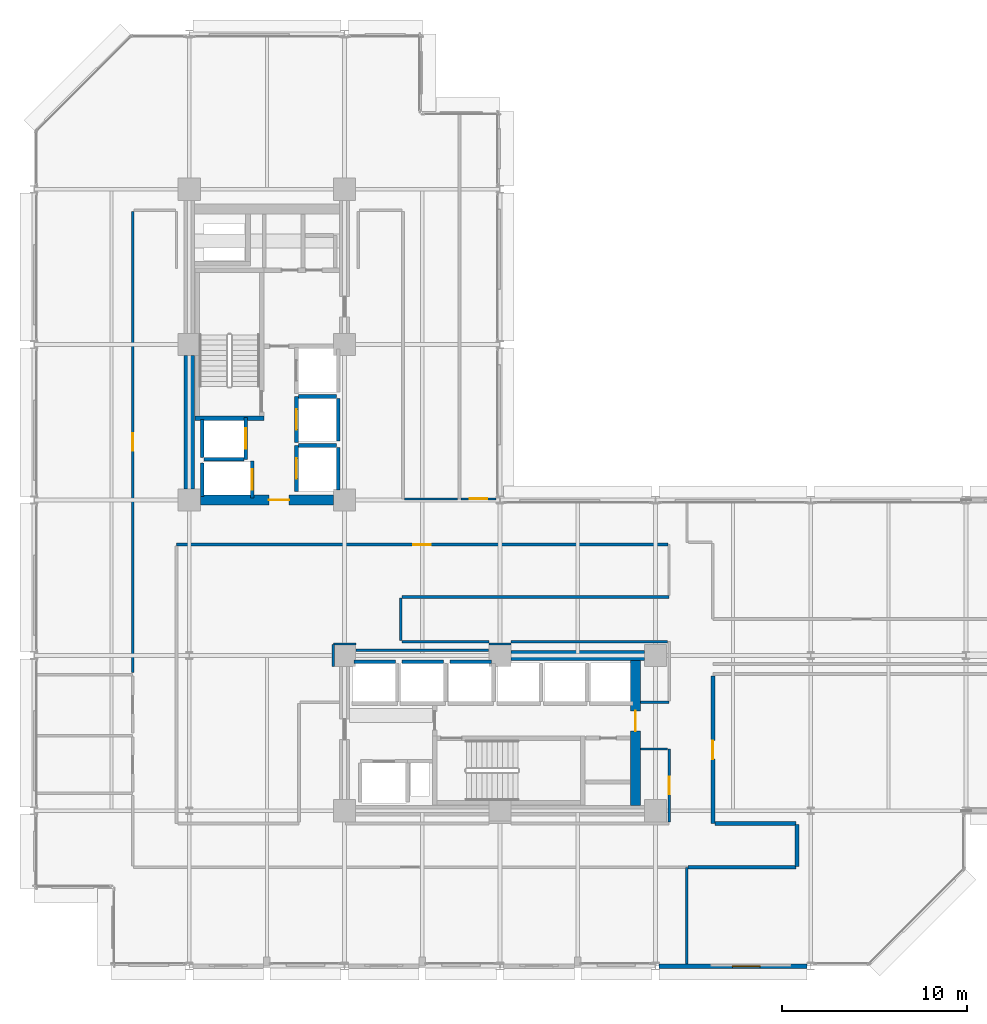
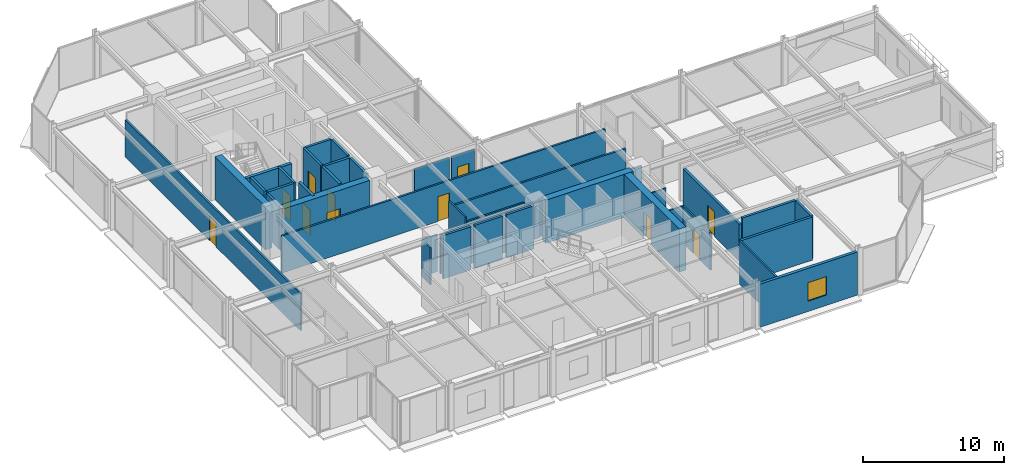
# One storey, part 34 of 40: 40 walls, 11 doors, 1 window, 12 openings.
"""IFC4 building model written with IfcOpenShell, lengths in metres."""

from ifc_helpers import new_model, si_unit, direction, frame, frame_2d, origin, place, context, subcontext, project, spatial, rectangle, extrude, material, layer, layer_set, type_object, element, fill, save


model = new_model("IFC4")

# Units and contexts
model_context = context("Model", 3, precision=1e-05, world=origin(), true_north=direction((0.0, 1.0)))
body_context = subcontext(model_context, "Body", "Model", "MODEL_VIEW")
ifc_project = project(units=[si_unit("LENGTHUNIT", "METRE"), si_unit("AREAUNIT", "SQUARE_METRE"), si_unit("VOLUMEUNIT", "CUBIC_METRE"), si_unit("PLANEANGLEUNIT", "RADIAN"), si_unit("MASSUNIT", "GRAM", prefix="KILO")], contexts=[model_context])

# Site, building, storey
site_placement = place(None, origin())
site = spatial("IfcSite", under=ifc_project, at=site_placement, CompositionType="ELEMENT")
building_placement = place(site_placement, origin())
building = spatial("IfcBuilding", under=site, at=building_placement, Name="Nerrivon Quay Data Exchange", CompositionType="ELEMENT")
storey_placement = place(building_placement, frame((0.0, 0.0, 109.0)))
storey = spatial("IfcBuildingStorey", under=building, at=storey_placement, Name="L25", CompositionType="ELEMENT", Elevation=109.0)

# Wall, opening, window
ifc_material_1 = material(Name="Architectural terracotta precast concrete N50 (50 MPa)", Category="masonry")
ifc_layer_1 = layer(ifc_material_1, 0.239990234375)
ifc_layer_set_1 = layer_set([ifc_layer_1], Name="Architectural terracotta precast concrete N50 (50 MPa)")
wall_type_1 = type_object("IfcWallType", Name="EW-PREC-240", PredefinedType="STANDARD", material=ifc_layer_set_1)
wall_1_placement = place(storey_placement, frame((41.800048828125, 0.0, 0.0), z_axis=(0.0, 0.0, 1.0), x_axis=(-1.0, 0.0, 0.0)))
wall_1 = element("IfcWall", 1, at=wall_1_placement, inside=storey, type_object=wall_type_1, Name="L25 Podium Precast Spandrel Wall 7", PredefinedType="STANDARD", context=body_context, shape_type="SweptSolid", body=[
    extrude(rectangle(XDim=8.0, YDim=0.239990234375, at=frame_2d((4.0, 0.0))), origin(), (0.0, 0.0, 1.0), 3.75),
])
opening_1_placement = place(wall_1_placement, frame((2.53662109375, 0.0, 0.89990234375)))
opening_1 = element("IfcOpeningElement", 2, at=opening_1_placement, cuts=wall_1, Name="Opening WN4", PredefinedType="OPENING", context=body_context, shape_type="SweptSolid", body=[
    extrude(rectangle(XDim=1.5, YDim=1.60009765625, at=frame_2d((0.75, 0.800048828125))), frame((0.0, 0.1298828125, 0.0), z_axis=(0.0, -1.0, 0.0), x_axis=(1.0, 0.0, 0.0)), (0.0, 0.0, 1.0), 0.260009765625),
])
ifc_material_2 = material(Name="Double-glazed low-E solar control glass", Category="glass")
window_type = type_object("IfcWindowType", Name="WIN-W4-1500x1600", PartitioningType="SINGLE_PANEL", PredefinedType="WINDOW", material=ifc_material_2)
window_placement = place(opening_1_placement, origin())
window = element("IfcWindow", 3, at=window_placement, inside=storey, type_object=window_type, Name="L25 Solar Facade Window 7", OverallHeight=1.60009765625, OverallWidth=1.5, PartitioningType="SINGLE_PANEL", PredefinedType="WINDOW", context=body_context, shape_type="SweptSolid", body=[
    extrude(rectangle(XDim=1.5, YDim=1.60009765625, at=frame_2d((0.75, 0.800048828125))), frame((0.0, 0.030029296875, 0.0), z_axis=(0.0, -1.0, 0.0), x_axis=(1.0, 0.0, 0.0)), (0.0, 0.0, 1.0), 0.06005859375),
])
fill(opening_1, window)

# Wall
ifc_material_3 = material(Name="Concrete S65 (65 MPa)", Category="concrete")
ifc_layer_2 = layer(ifc_material_3, 0.550048828125)
ifc_layer_set_2 = layer_set([ifc_layer_2], Name="Concrete S65 (65 MPa)")
wall_type_2 = type_object("IfcWallType", Name="WALL-CW-700", PredefinedType="SHEAR", material=ifc_layer_set_2)
wall_2_placement = place(storey_placement, frame((8.39990234375, 25.800048828125, 0.0), z_axis=(0.0, 0.0, 1.0), x_axis=(0.0, 1.0, 0.0)))
element("IfcWall", 4, at=wall_2_placement, inside=storey, type_object=wall_type_2, Name="L25 West Split-Core Shear Wall WCW-W1", PredefinedType="SHEAR", context=body_context, shape_type="SweptSolid", body=[
    extrude(rectangle(XDim=7.199951171875, YDim=0.550048828125, at=frame_2d((3.60009765625, 0.0))), origin(), (0.0, 0.0, 1.0), 3.75),
])

# Wall, opening, door
wall_3_placement = place(storey_placement, frame((9.0, 25.199951171875, 0.0), z_axis=(0.0, 0.0, 1.0), x_axis=(1.0, 0.0, 0.0)))
wall_3 = element("IfcWall", 5, at=wall_3_placement, inside=storey, type_object=wall_type_2, Name="L25 West Split-Core Shear Wall WCW-S1", PredefinedType="SHEAR", context=body_context, shape_type="SweptSolid", body=[
    extrude(rectangle(XDim=7.199951171875, YDim=0.550048828125, at=frame_2d((3.60009765625, 0.0))), origin(), (0.0, 0.0, 1.0), 3.75),
])
opening_2_placement = place(wall_3_placement, frame((3.699951171875, 0.0, 0.0)))
opening_2 = element("IfcOpeningElement", 6, at=opening_2_placement, cuts=wall_3, Name="Opening FD-120", PredefinedType="OPENING", context=body_context, shape_type="SweptSolid", body=[
    extrude(rectangle(XDim=1.10009765625, YDim=2.14990234375, at=frame_2d((0.550048828125, 1.074951171875))), frame((0.0, 0.284912109375, 0.0), z_axis=(0.0, -1.0, 0.0), x_axis=(1.0, 0.0, 0.0)), (0.0, 0.0, 1.0), 0.570068359375),
])
ifc_material_4 = material(Name="Powder-coated galvanized steel sheet", Category="steel")
door_type_1 = type_object("IfcDoorType", Name="DR-FD120-1100", OperationType="NOTDEFINED", PredefinedType="DOOR", material=ifc_material_4)
door_1_placement = place(opening_2_placement, origin())
door_1 = element("IfcDoor", 7, at=door_1_placement, inside=storey, type_object=door_type_1, Name="L25 West Core Lobby Fire Door", OperationType="SINGLE_SWING_RIGHT", OverallHeight=2.14990234375, OverallWidth=1.10009765625, PredefinedType="DOOR", context=body_context, shape_type="SweptSolid", body=[
    extrude(rectangle(XDim=1.10009765625, YDim=2.14990234375, at=frame_2d((0.550048828125, 1.074951171875))), frame((0.0, 0.02490234375, 0.0), z_axis=(0.0, -1.0, 0.0), x_axis=(1.0, 0.0, 0.0)), (0.0, 0.0, 1.0), 0.050048828125),
])
fill(opening_2, door_1)

wall_4_placement = place(storey_placement, frame((32.52490234375, 8.675048828125, 0.0), z_axis=(0.0, 0.0, 1.0), x_axis=(0.0, 1.0, 0.0)))
wall_4 = element("IfcWall", 8, at=wall_4_placement, inside=storey, type_object=wall_type_2, Name="L25 East Split-Core Shear Wall ECW-E1", PredefinedType="SHEAR", context=body_context, shape_type="SweptSolid", body=[
    extrude(rectangle(XDim=7.849853515625, YDim=0.550048828125, at=frame_2d((3.9248046875, 0.0))), origin(), (0.0, 0.0, 1.0), 3.75),
])
opening_3_placement = place(wall_4_placement, frame((4.02490234375, 0.0, 0.0)))
opening_3 = element("IfcOpeningElement", 9, at=opening_3_placement, cuts=wall_4, Name="Opening FD-120", PredefinedType="OPENING", context=body_context, shape_type="SweptSolid", body=[
    extrude(rectangle(XDim=1.10009765625, YDim=2.14990234375, at=frame_2d((0.550048828125, 1.074951171875))), frame((0.0, 0.284912109375, 0.0), z_axis=(0.0, -1.0, 0.0), x_axis=(1.0, 0.0, 0.0)), (0.0, 0.0, 1.0), 0.570068359375),
])
door_2_placement = place(opening_3_placement, origin())
door_2 = element("IfcDoor", 10, at=door_2_placement, inside=storey, type_object=door_type_1, Name="L25 East Core Lobby Fire Door", OperationType="SINGLE_SWING_LEFT", OverallHeight=2.14990234375, OverallWidth=1.10009765625, PredefinedType="DOOR", context=body_context, shape_type="SweptSolid", body=[
    extrude(rectangle(XDim=1.10009765625, YDim=2.14990234375, at=frame_2d((0.550048828125, 1.074951171875))), frame((0.0, 0.02490234375, 0.0), z_axis=(0.0, -1.0, 0.0), x_axis=(1.0, 0.0, 0.0)), (0.0, 0.0, 1.0), 0.050048828125),
])
fill(opening_3, door_2)

# Wall
wall_5_placement = place(storey_placement, frame((25.800048828125, 16.800048828125, 0.0), z_axis=(0.0, 0.0, 1.0), x_axis=(1.0, 0.0, 0.0)))
element("IfcWall", 11, at=wall_5_placement, inside=storey, type_object=wall_type_2, Name="L25 East Split-Core Shear Wall ECW-N1", PredefinedType="SHEAR", context=body_context, shape_type="SweptSolid", body=[
    extrude(rectangle(XDim=7.199951171875, YDim=0.550048828125, at=frame_2d((3.60009765625, 0.0))), origin(), (0.0, 0.0, 1.0), 3.75),
])

# Wall, opening, door
ifc_material_5 = material(Name="Gypsum plasterboard on cold-formed framing", Category="gypsum")
ifc_layer_3 = layer(ifc_material_5, 0.199951171875)
ifc_layer_set_3 = layer_set([ifc_layer_3], Name="Gypsum plasterboard on cold-formed framing")
wall_type_3 = type_object("IfcWallType", Name="WALL-FW-200", PredefinedType="PARTITIONING", material=ifc_layer_set_3)
wall_6_placement = place(storey_placement, frame((11.449951171875, 27.39990234375, 0.0), z_axis=(0.0, 0.0, 1.0), x_axis=(0.0, 1.0, 0.0)))
wall_6 = element("IfcWall", 12, at=wall_6_placement, inside=storey, type_object=wall_type_3, Name="L25 Lift Front Wall FFL-1", PredefinedType="PARTITIONING", context=body_context, shape_type="SweptSolid", body=[
    extrude(rectangle(XDim=2.25, YDim=0.199951171875, at=frame_2d((1.125, 0.0))), origin(), (0.0, 0.0, 1.0), 3.75),
])
opening_4_placement = place(wall_6_placement, frame((0.574951171875, 0.0, 0.0)))
opening_4 = element("IfcOpeningElement", 13, at=opening_4_placement, cuts=wall_6, Name="Opening LD-120", PredefinedType="OPENING", context=body_context, shape_type="SweptSolid", body=[
    extrude(rectangle(XDim=1.10009765625, YDim=2.199951171875, at=frame_2d((0.550048828125, 1.10009765625))), frame((0.0, 0.10986328125, 0.0), z_axis=(0.0, -1.0, 0.0), x_axis=(1.0, 0.0, 0.0)), (0.0, 0.0, 1.0), 0.219970703125),
])
door_type_2 = type_object("IfcDoorType", Name="DR-LIFT-LD120", OperationType="DOUBLE_DOOR_SLIDING", PredefinedType="DOOR", material=ifc_material_4)
door_3_placement = place(opening_4_placement, origin())
door_3 = element("IfcDoor", 14, at=door_3_placement, inside=storey, type_object=door_type_2, Name="L25 Lift Landing Sliding Door FFL-1", OperationType="DOUBLE_DOOR_SLIDING", OverallHeight=2.199951171875, OverallWidth=1.10009765625, PredefinedType="DOOR", context=body_context, shape_type="SweptSolid", body=[
    extrude(rectangle(XDim=1.10009765625, YDim=2.199951171875, at=frame_2d((0.550048828125, 1.10009765625))), frame((0.0, 0.02490234375, 0.0), z_axis=(0.0, -1.0, 0.0), x_axis=(1.0, 0.0, 0.0)), (0.0, 0.0, 1.0), 0.050048828125),
])
fill(opening_4, door_3)

# Walls
wall_7_placement = place(storey_placement, frame((9.10009765625, 27.5, 0.0), z_axis=(0.0, 0.0, 1.0), x_axis=(0.0, 1.0, 0.0)))
element("IfcWall", 15, at=wall_7_placement, inside=storey, type_object=wall_type_3, Name="L25 Lift Shaft Wall FFL-1 WEST", PredefinedType="PARTITIONING", context=body_context, shape_type="SweptSolid", body=[
    extrude(rectangle(XDim=2.050048828125, YDim=0.199951171875, at=frame_2d((1.02490234375, 0.0))), origin(), (0.0, 0.0, 1.0), 3.75),
])
wall_8_placement = place(storey_placement, frame((9.199951171875, 27.39990234375, 0.0), z_axis=(0.0, 0.0, 1.0), x_axis=(1.0, 0.0, 0.0)))
element("IfcWall", 16, at=wall_8_placement, inside=storey, type_object=wall_type_3, Name="L25 Lift Shaft Wall FFL-1 SOUTH", PredefinedType="PARTITIONING", context=body_context, shape_type="SweptSolid", body=[
    extrude(rectangle(XDim=2.150146484375, YDim=0.199951171875, at=frame_2d((1.0751953125, 0.0))), origin(), (0.0, 0.0, 1.0), 3.75),
])

# Wall, opening, door
wall_9_placement = place(storey_placement, frame((11.800048828125, 25.300048828125, 0.0), z_axis=(0.0, 0.0, 1.0), x_axis=(0.0, 1.0, 0.0)))
wall_9 = element("IfcWall", 17, at=wall_9_placement, inside=storey, type_object=wall_type_3, Name="L25 Lift Front Wall SVL-1", PredefinedType="PARTITIONING", context=body_context, shape_type="SweptSolid", body=[
    extrude(rectangle(XDim=2.0, YDim=0.199951171875, at=frame_2d((1.0, 0.0))), origin(), (0.0, 0.0, 1.0), 3.75),
])
opening_5_placement = place(wall_9_placement, frame((0.449951171875, 0.0, 0.0)))
opening_5 = element("IfcOpeningElement", 18, at=opening_5_placement, cuts=wall_9, Name="Opening LD-120", PredefinedType="OPENING", context=body_context, shape_type="SweptSolid", body=[
    extrude(rectangle(XDim=1.10009765625, YDim=2.199951171875, at=frame_2d((0.550048828125, 1.10009765625))), frame((0.0, 0.10986328125, 0.0), z_axis=(0.0, -1.0, 0.0), x_axis=(1.0, 0.0, 0.0)), (0.0, 0.0, 1.0), 0.219970703125),
])
door_4_placement = place(opening_5_placement, origin())
door_4 = element("IfcDoor", 19, at=door_4_placement, inside=storey, type_object=door_type_2, Name="L25 Lift Landing Sliding Door SVL-1", OperationType="DOUBLE_DOOR_SLIDING", OverallHeight=2.199951171875, OverallWidth=1.10009765625, PredefinedType="DOOR", context=body_context, shape_type="SweptSolid", body=[
    extrude(rectangle(XDim=1.10009765625, YDim=2.199951171875, at=frame_2d((0.550048828125, 1.10009765625))), frame((0.0, 0.02490234375, 0.0), z_axis=(0.0, -1.0, 0.0), x_axis=(1.0, 0.0, 0.0)), (0.0, 0.0, 1.0), 0.050048828125),
])
fill(opening_5, door_4)

# Wall
wall_10_placement = place(storey_placement, frame((9.10009765625, 25.39990234375, 0.0), z_axis=(0.0, 0.0, 1.0), x_axis=(0.0, 1.0, 0.0)))
element("IfcWall", 20, at=wall_10_placement, inside=storey, type_object=wall_type_3, Name="L25 Lift Shaft Wall SVL-1 WEST", PredefinedType="PARTITIONING", context=body_context, shape_type="SweptSolid", body=[
    extrude(rectangle(XDim=1.800048828125, YDim=0.199951171875, at=frame_2d((0.89990234375, 0.0))), origin(), (0.0, 0.0, 1.0), 3.75),
])

# Wall, opening, door
wall_11_placement = place(storey_placement, frame((14.199951171875, 25.64990234375, 0.0), z_axis=(0.0, 0.0, 1.0), x_axis=(0.0, 1.0, 0.0)))
wall_11 = element("IfcWall", 21, at=wall_11_placement, inside=storey, type_object=wall_type_3, Name="L25 Lift Front Wall PL1", PredefinedType="PARTITIONING", context=body_context, shape_type="SweptSolid", body=[
    extrude(rectangle(XDim=2.5, YDim=0.199951171875, at=frame_2d((1.25, 0.0))), origin(), (0.0, 0.0, 1.0), 3.75),
])
opening_6_placement = place(wall_11_placement, frame((0.699951171875, 0.0, 0.0)))
opening_6 = element("IfcOpeningElement", 22, at=opening_6_placement, cuts=wall_11, Name="Opening LD-120", PredefinedType="OPENING", context=body_context, shape_type="SweptSolid", body=[
    extrude(rectangle(XDim=1.10009765625, YDim=2.199951171875, at=frame_2d((0.550048828125, 1.10009765625))), frame((0.0, 0.10986328125, 0.0), z_axis=(0.0, -1.0, 0.0), x_axis=(1.0, 0.0, 0.0)), (0.0, 0.0, 1.0), 0.219970703125),
])
door_5_placement = place(opening_6_placement, origin())
door_5 = element("IfcDoor", 23, at=door_5_placement, inside=storey, type_object=door_type_2, Name="L25 Lift Landing Sliding Door PL1", OperationType="DOUBLE_DOOR_SLIDING", OverallHeight=2.199951171875, OverallWidth=1.10009765625, PredefinedType="DOOR", context=body_context, shape_type="SweptSolid", body=[
    extrude(rectangle(XDim=1.10009765625, YDim=2.199951171875, at=frame_2d((0.550048828125, 1.10009765625))), frame((0.0, 0.02490234375, 0.0), z_axis=(0.0, -1.0, 0.0), x_axis=(1.0, 0.0, 0.0)), (0.0, 0.0, 1.0), 0.050048828125),
])
fill(opening_6, door_5)

# Walls
wall_12_placement = place(storey_placement, frame((16.449951171875, 25.75, 0.0), z_axis=(0.0, 0.0, 1.0), x_axis=(0.0, 1.0, 0.0)))
element("IfcWall", 24, at=wall_12_placement, inside=storey, type_object=wall_type_3, Name="L25 Lift Shaft Wall PL1 EAST", PredefinedType="PARTITIONING", context=body_context, shape_type="SweptSolid", body=[
    extrude(rectangle(XDim=2.300048828125, YDim=0.199951171875, at=frame_2d((1.14990234375, 0.0))), origin(), (0.0, 0.0, 1.0), 3.75),
])
wall_13_placement = place(storey_placement, frame((14.300048828125, 28.14990234375, 0.0), z_axis=(0.0, 0.0, 1.0), x_axis=(1.0, 0.0, 0.0)))
element("IfcWall", 25, at=wall_13_placement, inside=storey, type_object=wall_type_3, Name="L25 Lift Shaft Wall PL1 NORTH", PredefinedType="PARTITIONING", context=body_context, shape_type="SweptSolid", body=[
    extrude(rectangle(XDim=2.050048828125, YDim=0.199951171875, at=frame_2d((1.02490234375, 0.0))), origin(), (0.0, 0.0, 1.0), 3.75),
])

# Wall, opening, door
wall_14_placement = place(storey_placement, frame((14.199951171875, 28.300048828125, 0.0), z_axis=(0.0, 0.0, 1.0), x_axis=(0.0, 1.0, 0.0)))
wall_14 = element("IfcWall", 26, at=wall_14_placement, inside=storey, type_object=wall_type_3, Name="L25 Lift Front Wall PL2", PredefinedType="PARTITIONING", context=body_context, shape_type="SweptSolid", body=[
    extrude(rectangle(XDim=2.5, YDim=0.199951171875, at=frame_2d((1.25, 0.0))), origin(), (0.0, 0.0, 1.0), 3.75),
])
opening_7_placement = place(wall_14_placement, frame((0.699951171875, 0.0, 0.0)))
opening_7 = element("IfcOpeningElement", 27, at=opening_7_placement, cuts=wall_14, Name="Opening LD-120", PredefinedType="OPENING", context=body_context, shape_type="SweptSolid", body=[
    extrude(rectangle(XDim=1.10009765625, YDim=2.199951171875, at=frame_2d((0.550048828125, 1.10009765625))), frame((0.0, 0.10986328125, 0.0), z_axis=(0.0, -1.0, 0.0), x_axis=(1.0, 0.0, 0.0)), (0.0, 0.0, 1.0), 0.219970703125),
])
door_6_placement = place(opening_7_placement, origin())
door_6 = element("IfcDoor", 28, at=door_6_placement, inside=storey, type_object=door_type_2, Name="L25 Lift Landing Sliding Door PL2", OperationType="DOUBLE_DOOR_SLIDING", OverallHeight=2.199951171875, OverallWidth=1.10009765625, PredefinedType="DOOR", context=body_context, shape_type="SweptSolid", body=[
    extrude(rectangle(XDim=1.10009765625, YDim=2.199951171875, at=frame_2d((0.550048828125, 1.10009765625))), frame((0.0, 0.02490234375, 0.0), z_axis=(0.0, -1.0, 0.0), x_axis=(1.0, 0.0, 0.0)), (0.0, 0.0, 1.0), 0.050048828125),
])
fill(opening_7, door_6)

# Walls
wall_15_placement = place(storey_placement, frame((16.449951171875, 28.39990234375, 0.0), z_axis=(0.0, 0.0, 1.0), x_axis=(0.0, 1.0, 0.0)))
element("IfcWall", 29, at=wall_15_placement, inside=storey, type_object=wall_type_3, Name="L25 Lift Shaft Wall PL2 EAST", PredefinedType="PARTITIONING", context=body_context, shape_type="SweptSolid", body=[
    extrude(rectangle(XDim=2.300048828125, YDim=0.199951171875, at=frame_2d((1.14990234375, 0.0))), origin(), (0.0, 0.0, 1.0), 3.75),
])
wall_16_placement = place(storey_placement, frame((14.300048828125, 30.800048828125, 0.0), z_axis=(0.0, 0.0, 1.0), x_axis=(1.0, 0.0, 0.0)))
element("IfcWall", 30, at=wall_16_placement, inside=storey, type_object=wall_type_3, Name="L25 Lift Shaft Wall PL2 NORTH", PredefinedType="PARTITIONING", context=body_context, shape_type="SweptSolid", body=[
    extrude(rectangle(XDim=2.050048828125, YDim=0.199951171875, at=frame_2d((1.02490234375, 0.0))), origin(), (0.0, 0.0, 1.0), 3.75),
])
for number, where, z_axis, x_axis, name in (
    (31, (17.300048828125, 16.449951171875, 0.0), (0.0, 0.0, 1.0), (1.0, 0.0, 0.0), "L25 Lift Shaft Wall PL4 NORTH"),
    (32, (19.89990234375, 16.449951171875, 0.0), (0.0, 0.0, 1.0), (1.0, 0.0, 0.0), "L25 Lift Shaft Wall PL5 NORTH"),
    (33, (22.5, 16.449951171875, 0.0), (0.0, 0.0, 1.0), (1.0, 0.0, 0.0), "L25 Lift Shaft Wall PL6 NORTH"),
):
    element("IfcWall", number, at=place(storey_placement, frame(where, z_axis=z_axis, x_axis=x_axis)), inside=storey, type_object=wall_type_3, Name=name, PredefinedType="PARTITIONING", context=body_context, shape_type="SweptSolid", body=[
        extrude(rectangle(XDim=2.25, YDim=0.199951171875, at=frame_2d((1.125, 0.0))), origin(), (0.0, 0.0, 1.0), 3.75),
    ])

# Wall, opening, door
wall_17_placement = place(storey_placement, frame((36.7099609375, 15.675048828125, 0.0), z_axis=(0.0, 0.0, 1.0), x_axis=(0.0, -1.0, 0.0)))
wall_17 = element("IfcWall", 34, at=wall_17_placement, inside=storey, type_object=wall_type_3, Name="L25 Partition Colocation Data Workspace 1", PredefinedType="PARTITIONING", context=body_context, shape_type="SweptSolid", body=[
    extrude(rectangle(XDim=7.965087890625, YDim=0.199951171875, at=frame_2d((3.982421875, 0.0))), origin(), (0.0, 0.0, 1.0), 3.217041015625),
])
opening_8_placement = place(wall_17_placement, frame((3.482666015625, 0.0, 0.0)))
opening_8 = element("IfcOpeningElement", 35, at=opening_8_placement, cuts=wall_17, Name="Opening FD-60", PredefinedType="OPENING", context=body_context, shape_type="SweptSolid", body=[
    extrude(rectangle(XDim=1.0, YDim=2.14990234375, at=frame_2d((0.5, 1.074951171875))), frame((0.0, 0.10986328125, 0.0), z_axis=(0.0, -1.0, 0.0), x_axis=(1.0, 0.0, 0.0)), (0.0, 0.0, 1.0), 0.219970703125),
])
ifc_material_6 = material(Name="Engineered hardwood timber", Category="wood")
door_type_3 = type_object("IfcDoorType", Name="DR-FD60-1000", OperationType="NOTDEFINED", PredefinedType="DOOR", material=ifc_material_6)
door_7_placement = place(opening_8_placement, origin())
door_7 = element("IfcDoor", 36, at=door_7_placement, inside=storey, type_object=door_type_3, Name="L25 Door Colocation Data Workspace 1", OperationType="SINGLE_SWING_LEFT", OverallHeight=2.14990234375, OverallWidth=1.0, PredefinedType="DOOR", context=body_context, shape_type="SweptSolid", body=[
    extrude(rectangle(XDim=1.0, YDim=2.14990234375, at=frame_2d((0.5, 1.074951171875))), frame((0.0, 0.02490234375, 0.0), z_axis=(0.0, -1.0, 0.0), x_axis=(1.0, 0.0, 0.0)), (0.0, 0.0, 1.0), 0.050048828125),
])
fill(opening_8, door_7)

# Walls
wall_18_placement = place(storey_placement, frame((36.81396484375, 7.7099609375, 0.0), z_axis=(0.0, 0.0, 1.0), x_axis=(1.0, 0.0, 0.0)))
element("IfcWall", 37, at=wall_18_placement, inside=storey, type_object=wall_type_3, Name="L25 Partition Colocation Data Workspace 1", PredefinedType="PARTITIONING", context=body_context, shape_type="SweptSolid", body=[
    extrude(rectangle(XDim=4.385986328125, YDim=0.199951171875, at=frame_2d((2.19287109375, 0.0))), origin(), (0.0, 0.0, 1.0), 3.75),
])
wall_19_placement = place(storey_placement, frame((41.260009765625, 7.64990234375, 0.0), z_axis=(0.0, 0.0, 1.0), x_axis=(-0.000108225108, -0.999999994144, 0.0)))
element("IfcWall", 38, at=wall_19_placement, inside=storey, type_object=wall_type_3, Name="L25 Partition Colocation Data Workspace 1", PredefinedType="PARTITIONING", context=body_context, shape_type="SweptSolid", body=[
    extrude(rectangle(XDim=2.255859375, YDim=0.199951171875, at=frame_2d((1.1279296875, 0.0))), origin(), (0.0, 0.0, 1.0), 3.75),
])
wall_20_placement = place(storey_placement, frame((41.199951171875, 5.340087890625, 0.0), z_axis=(0.0, 0.0, 1.0), x_axis=(-1.0, 0.0, 0.0)))
element("IfcWall", 39, at=wall_20_placement, inside=storey, type_object=wall_type_3, Name="L25 Partition Colocation Data Workspace 1", PredefinedType="PARTITIONING", context=body_context, shape_type="SweptSolid", body=[
    extrude(rectangle(XDim=5.83154296875, YDim=0.199951171875, at=frame_2d((2.915771484375, 0.0))), origin(), (0.0, 0.0, 1.0), 3.75),
])
ifc_layer_4 = layer(ifc_material_5, 0.1201171875)
ifc_layer_set_4 = layer_set([ifc_layer_4], Name="Gypsum plasterboard on cold-formed framing")
wall_type_4 = type_object("IfcWallType", Name="WALL-PT-120", PredefinedType="PARTITIONING", material=ifc_layer_set_4)
wall_21_placement = place(storey_placement, frame((34.2685546875, 11.739990234375, 0.0), z_axis=(0.0, 0.0, 1.0), x_axis=(-1.0, 0.0, 0.0)))
element("IfcWall", 40, at=wall_21_placement, inside=storey, type_object=wall_type_4, Name="L25 Partition Staff Pantry", PredefinedType="PARTITIONING", context=body_context, shape_type="SweptSolid", body=[
    extrude(rectangle(XDim=1.464599609375, YDim=0.1201171875, at=frame_2d((0.732421875, 0.0))), origin(), (0.0, 0.0, 1.0), 3.221923828125),
])

# Wall, opening, door
wall_22_placement = place(storey_placement, frame((23.087890625, 25.260009765625, 0.0), z_axis=(0.0, 0.0, 1.0), x_axis=(1.0, 0.0, 0.0)))
wall_22 = element("IfcWall", 41, at=wall_22_placement, inside=storey, type_object=wall_type_4, Name="L25 Partition Shared Breakout Kitchenette", PredefinedType="PARTITIONING", context=body_context, shape_type="SweptSolid", body=[
    extrude(rectangle(XDim=1.89208984375, YDim=0.1201171875, at=frame_2d((0.946044921875, 0.0))), origin(), (0.0, 0.0, 1.0), 3.217041015625),
])
opening_9_placement = place(wall_22_placement, frame((0.470947265625, 0.0, 0.0)))
opening_9 = element("IfcOpeningElement", 42, at=opening_9_placement, cuts=wall_22, Name="Opening D-01", PredefinedType="OPENING", context=body_context, shape_type="SweptSolid", body=[
    extrude(rectangle(XDim=0.949951171875, YDim=2.14990234375, at=frame_2d((0.47509765625, 1.074951171875))), frame((0.0, 0.070068359375, 0.0), z_axis=(0.0, -1.0, 0.0), x_axis=(1.0, 0.0, 0.0)), (0.0, 0.0, 1.0), 0.14013671875),
])
door_type_4 = type_object("IfcDoorType", Name="DR-INT-950", OperationType="NOTDEFINED", PredefinedType="DOOR", material=ifc_material_6)
door_8_placement = place(opening_9_placement, origin())
door_8 = element("IfcDoor", 43, at=door_8_placement, inside=storey, type_object=door_type_4, Name="L25 Door Shared Breakout Kitchenette", OperationType="SINGLE_SWING_LEFT", OverallHeight=2.14990234375, OverallWidth=0.949951171875, PredefinedType="DOOR", context=body_context, shape_type="SweptSolid", body=[
    extrude(rectangle(XDim=0.949951171875, YDim=2.14990234375, at=frame_2d((0.47509765625, 1.074951171875))), frame((0.0, 0.02490234375, 0.0), z_axis=(0.0, -1.0, 0.0), x_axis=(1.0, 0.0, 0.0)), (0.0, 0.0, 1.0), 0.050048828125),
])
fill(opening_9, door_8)

# Walls
wall_23_placement = place(storey_placement, frame((16.180908203125, 16.194091796875, 0.0), z_axis=(0.0, 0.0, 1.0), x_axis=(-0.000809880277, 0.999999672047, 0.0)))
element("IfcWall", 44, at=wall_23_placement, inside=storey, type_object=wall_type_4, Name="L25 Partition Cloud Compute Workspace 1", PredefinedType="PARTITIONING", context=body_context, shape_type="SweptSolid", body=[
    extrude(rectangle(XDim=1.205810546875, YDim=0.1201171875, at=frame_2d((0.60302734375, 0.0))), origin(), (0.0, 0.0, 1.0), 3.217041015625),
])
for number, where, z_axis, x_axis, name in (
    (45, (16.199951171875, 17.419921875, 0.0), (0.0, 0.0, 1.0), (0.999999815526, -0.000607410295, 0.0), "L25 Partition Cloud Compute Workspace 1"),
    (46, (24.59423828125, 17.419189453125, 0.0), (0.0, 0.0, 1.0), (0.999999815526, 0.000607410295, 0.0), "L25 Partition Cloud Compute Workspace 1"),
):
    element("IfcWall", number, at=place(storey_placement, frame(where, z_axis=z_axis, x_axis=x_axis)), inside=storey, type_object=wall_type_4, Name=name, PredefinedType="PARTITIONING", context=body_context, shape_type="SweptSolid", body=[
        extrude(rectangle(XDim=1.205810546875, YDim=0.1201171875, at=frame_2d((0.60302734375, 0.0))), origin(), (0.0, 0.0, 1.0), 3.221923828125),
    ])
wall_24_placement = place(storey_placement, frame((32.803955078125, 14.260009765625, 0.0), z_axis=(0.0, 0.0, 1.0), x_axis=(1.0, 0.0, 0.0)))
element("IfcWall", 47, at=wall_24_placement, inside=storey, type_object=wall_type_4, Name="L25 Partition Cloud Compute Workspace 1", PredefinedType="PARTITIONING", context=body_context, shape_type="SweptSolid", body=[
    extrude(rectangle(XDim=1.5361328125, YDim=0.1201171875, at=frame_2d((0.76806640625, 0.0))), origin(), (0.0, 0.0, 1.0), 3.221923828125),
])
wall_25_placement = place(storey_placement, frame((19.840087890625, 17.60009765625, 0.0), z_axis=(0.0, 0.0, 1.0), x_axis=(0.0, 1.0, 0.0)))
element("IfcWall", 48, at=wall_25_placement, inside=storey, type_object=wall_type_4, Name="L25 Partition Cloud Compute Workspace 1", PredefinedType="PARTITIONING", context=body_context, shape_type="SweptSolid", body=[
    extrude(rectangle(XDim=2.2998046875, YDim=0.1201171875, at=frame_2d((1.14990234375, 0.0))), origin(), (0.0, 0.0, 1.0), 3.75),
])
wall_26_placement = place(storey_placement, frame((20.0390625, 25.260009765625, 0.0), z_axis=(0.0, 0.0, 1.0), x_axis=(1.0, 0.0, 0.0)))
element("IfcWall", 49, at=wall_26_placement, inside=storey, type_object=wall_type_4, Name="L25 Partition Optical Engineering Studios Workspace", PredefinedType="PARTITIONING", context=body_context, shape_type="SweptSolid", body=[
    extrude(rectangle(XDim=2.849853515625, YDim=0.1201171875, at=frame_2d((1.4248046875, 0.0))), origin(), (0.0, 0.0, 1.0), 3.217041015625),
])

# Wall, opening, door
ifc_layer_5 = layer(ifc_material_5, 0.135009765625)
ifc_layer_set_5 = layer_set([ifc_layer_5], Name="Gypsum plasterboard on cold-formed framing")
wall_type_5 = type_object("IfcWallType", Name="WALL-PT-135", PredefinedType="PARTITIONING", material=ifc_layer_set_5)
wall_27_placement = place(storey_placement, frame((34.340087890625, 7.7890625, 0.0), z_axis=(0.0, 0.0, 1.0), x_axis=(0.0, 1.0, 0.0)))
wall_27 = element("IfcWall", 50, at=wall_27_placement, inside=storey, type_object=wall_type_5, Name="L25 Partition Staff Pantry", PredefinedType="PARTITIONING", context=body_context, shape_type="SweptSolid", body=[
    extrude(rectangle(XDim=3.950927734375, YDim=0.135009765625, at=frame_2d((1.9755859375, 0.0))), origin(), (0.0, 0.0, 1.0), 3.217041015625),
])
opening_10_placement = place(wall_27_placement, frame((1.50048828125, 0.0, 0.0)))
opening_10 = element("IfcOpeningElement", 51, at=opening_10_placement, cuts=wall_27, Name="Opening D-01", PredefinedType="OPENING", context=body_context, shape_type="SweptSolid", body=[
    extrude(rectangle(XDim=0.949951171875, YDim=2.14990234375, at=frame_2d((0.47509765625, 1.074951171875))), frame((0.0, 0.077392578125, 0.0), z_axis=(0.0, -1.0, 0.0), x_axis=(1.0, 0.0, 0.0)), (0.0, 0.0, 1.0), 0.155029296875),
])
door_9_placement = place(opening_10_placement, origin())
door_9 = element("IfcDoor", 52, at=door_9_placement, inside=storey, type_object=door_type_4, Name="L25 Door Staff Pantry", OperationType="SINGLE_SWING_RIGHT", OverallHeight=2.14990234375, OverallWidth=0.949951171875, PredefinedType="DOOR", context=body_context, shape_type="SweptSolid", body=[
    extrude(rectangle(XDim=0.949951171875, YDim=2.14990234375, at=frame_2d((0.47509765625, 1.074951171875))), frame((0.0, 0.02490234375, 0.0), z_axis=(0.0, -1.0, 0.0), x_axis=(1.0, 0.0, 0.0)), (0.0, 0.0, 1.0), 0.050048828125),
])
fill(opening_10, door_9)

# Walls
wall_28_placement = place(storey_placement, frame((35.297119140625, 0.1240234375, 0.0), z_axis=(0.0, 0.0, 1.0), x_axis=(0.0, 1.0, 0.0)))
element("IfcWall", 53, at=wall_28_placement, inside=storey, type_object=wall_type_5, Name="L25 Partition Technical Library", PredefinedType="PARTITIONING", context=body_context, shape_type="SweptSolid", body=[
    extrude(rectangle(XDim=5.216064453125, YDim=0.135009765625, at=frame_2d((2.60791015625, 0.0))), origin(), (0.0, 0.0, 1.0), 3.75),
])
wall_29_placement = place(storey_placement, frame((24.593994140625, 17.5400390625, 0.0), z_axis=(0.0, 0.0, 1.0), x_axis=(-1.0, 0.0, 0.0)))
element("IfcWall", 54, at=wall_29_placement, inside=storey, type_object=wall_type_5, Name="L25 Partition Cloud Compute Workspace 1", PredefinedType="PARTITIONING", context=body_context, shape_type="SweptSolid", body=[
    extrude(rectangle(XDim=4.694091796875, YDim=0.135009765625, at=frame_2d((2.34716796875, 0.0))), origin(), (0.0, 0.0, 1.0), 3.39404296875),
])
ifc_layer_6 = layer(ifc_material_5, 0.14990234375)
ifc_layer_set_6 = layer_set([ifc_layer_6], Name="Gypsum plasterboard on cold-formed framing")
wall_type_6 = type_object("IfcWallType", Name="WALL-PT-150", PredefinedType="PARTITIONING", material=ifc_layer_set_6)
wall_30_placement = place(storey_placement, frame((17.419921875, 17.074951171875, 0.0), z_axis=(0.0, 0.0, 1.0), x_axis=(1.0, 0.0, 0.0)))
element("IfcWall", 55, at=wall_30_placement, inside=storey, type_object=wall_type_6, Name="L25 Partition Cloud Compute Workspace 1", PredefinedType="PARTITIONING", context=body_context, shape_type="SweptSolid", body=[
    extrude(rectangle(XDim=7.16015625, YDim=0.14990234375, at=frame_2d((3.580078125, 0.0))), origin(), (0.0, 0.0, 1.0), 3.39404296875),
])
wall_31_placement = place(storey_placement, frame((34.2685546875, 17.5400390625, 0.0), z_axis=(0.0, 0.0, 1.0), x_axis=(-1.0, 0.0, 0.0)))
element("IfcWall", 56, at=wall_31_placement, inside=storey, type_object=wall_type_6, Name="L25 Partition Cloud Compute Workspace 1", PredefinedType="PARTITIONING", context=body_context, shape_type="SweptSolid", body=[
    extrude(rectangle(XDim=8.46875, YDim=0.14990234375, at=frame_2d((4.234375, 0.0))), origin(), (0.0, 0.0, 1.0), 3.221923828125),
])
wall_32_placement = place(storey_placement, frame((19.89990234375, 19.9599609375, 0.0), z_axis=(0.0, 0.0, 1.0), x_axis=(1.0, 0.0, 0.0)))
element("IfcWall", 57, at=wall_32_placement, inside=storey, type_object=wall_type_6, Name="L25 Partition Cloud Compute Workspace 1", PredefinedType="PARTITIONING", context=body_context, shape_type="SweptSolid", body=[
    extrude(rectangle(XDim=14.440185546875, YDim=0.14990234375, at=frame_2d((7.22021484375, 0.0))), origin(), (0.0, 0.0, 1.0), 3.221923828125),
])

# Wall, opening, door
wall_33_placement = place(storey_placement, frame((34.27587890625, 22.7900390625, 0.0), z_axis=(0.0, 0.0, 1.0), x_axis=(-1.0, 0.0, 0.0)))
wall_33 = element("IfcWall", 58, at=wall_33_placement, inside=storey, type_object=wall_type_6, Name="L25 Partition Cloud Compute Workspace 1", PredefinedType="PARTITIONING", context=body_context, shape_type="SweptSolid", body=[
    extrude(rectangle(XDim=26.56591796875, YDim=0.14990234375, at=frame_2d((13.282958984375, 0.0))), origin(), (0.0, 0.0, 1.0), 3.221923828125),
])
opening_11_placement = place(wall_33_placement, frame((12.80810546875, 0.0, 0.0)))
opening_11 = element("IfcOpeningElement", 59, at=opening_11_placement, cuts=wall_33, Name="Opening D-01", PredefinedType="OPENING", context=body_context, shape_type="SweptSolid", body=[
    extrude(rectangle(XDim=0.949951171875, YDim=2.14990234375, at=frame_2d((0.47509765625, 1.074951171875))), frame((0.0, 0.0849609375, 0.0), z_axis=(0.0, -1.0, 0.0), x_axis=(1.0, 0.0, 0.0)), (0.0, 0.0, 1.0), 0.169921875),
])
door_10_placement = place(opening_11_placement, origin())
door_10 = element("IfcDoor", 60, at=door_10_placement, inside=storey, type_object=door_type_4, Name="L25 Door Cloud Compute Workspace 1", OperationType="SINGLE_SWING_RIGHT", OverallHeight=2.14990234375, OverallWidth=0.949951171875, PredefinedType="DOOR", context=body_context, shape_type="SweptSolid", body=[
    extrude(rectangle(XDim=0.949951171875, YDim=2.14990234375, at=frame_2d((0.47509765625, 1.074951171875))), frame((0.0, 0.02490234375, 0.0), z_axis=(0.0, -1.0, 0.0), x_axis=(1.0, 0.0, 0.0)), (0.0, 0.0, 1.0), 0.050048828125),
])
fill(opening_11, door_10)

wall_34_placement = place(storey_placement, frame((5.340087890625, 15.8701171875, 0.0), z_axis=(0.0, 0.0, 1.0), x_axis=(0.0, 1.0, 0.0)))
wall_34 = element("IfcWall", 61, at=wall_34_placement, inside=storey, type_object=wall_type_6, Name="L25 Partition Optical Engineering Studios Workspace", PredefinedType="PARTITIONING", context=body_context, shape_type="SweptSolid", body=[
    extrude(rectangle(XDim=24.929931640625, YDim=0.14990234375, at=frame_2d((12.46484375, 0.0))), origin(), (0.0, 0.0, 1.0), 3.217041015625),
])
opening_12_placement = place(wall_34_placement, frame((11.989990234375, 0.0, 0.0)))
opening_12 = element("IfcOpeningElement", 62, at=opening_12_placement, cuts=wall_34, Name="Opening D-01", PredefinedType="OPENING", context=body_context, shape_type="SweptSolid", body=[
    extrude(rectangle(XDim=0.949951171875, YDim=2.14990234375, at=frame_2d((0.47509765625, 1.074951171875))), frame((0.0, 0.0849609375, 0.0), z_axis=(0.0, -1.0, 0.0), x_axis=(1.0, 0.0, 0.0)), (0.0, 0.0, 1.0), 0.169921875),
])
door_11_placement = place(opening_12_placement, origin())
door_11 = element("IfcDoor", 63, at=door_11_placement, inside=storey, type_object=door_type_4, Name="L25 Door Optical Engineering Studios Workspace", OperationType="SINGLE_SWING_RIGHT", OverallHeight=2.14990234375, OverallWidth=0.949951171875, PredefinedType="DOOR", context=body_context, shape_type="SweptSolid", body=[
    extrude(rectangle(XDim=0.949951171875, YDim=2.14990234375, at=frame_2d((0.47509765625, 1.074951171875))), frame((0.0, 0.02490234375, 0.0), z_axis=(0.0, -1.0, 0.0), x_axis=(1.0, 0.0, 0.0)), (0.0, 0.0, 1.0), 0.050048828125),
])
fill(opening_12, door_11)

# Wall
ifc_material_7 = material(Name="Concrete N50 (50 MPa)", Category="concrete")
ifc_layer_7 = layer(ifc_material_7, 0.25)
ifc_layer_set_7 = layer_set([ifc_layer_7], Name="Concrete N50 (50 MPa)")
wall_type_7 = type_object("IfcWallType", Name="WALL-SW-250", PredefinedType="SHEAR", material=ifc_layer_set_7)
wall_35_placement = place(storey_placement, frame((12.449951171875, 29.625, 0.0), z_axis=(0.0, 0.0, 1.0), x_axis=(-1.0, 0.0, 0.0)))
element("IfcWall", 64, at=wall_35_placement, inside=storey, type_object=wall_type_7, Name="L25 ST01 Structural Stair Core Wall NEAR", PredefinedType="SHEAR", context=body_context, shape_type="SweptSolid", body=[
    extrude(rectangle(XDim=3.75, YDim=0.25, at=frame_2d((1.875, 0.0))), origin(), (0.0, 0.0, 1.0), 3.75),
])

save(model, "model.ifc")
